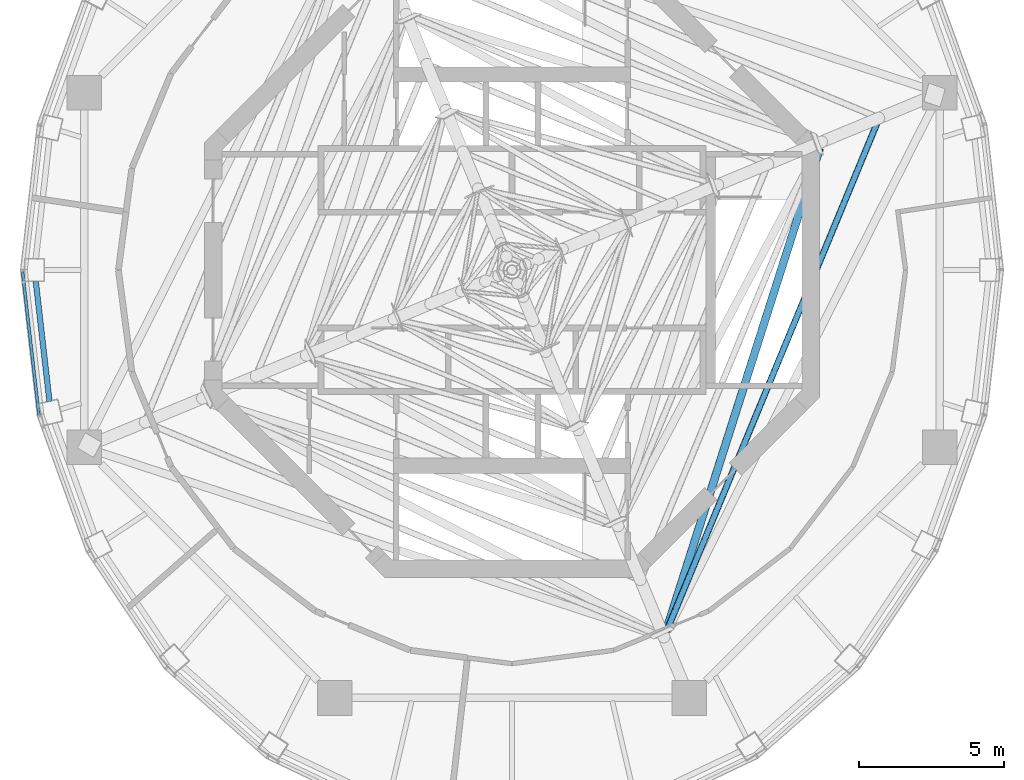
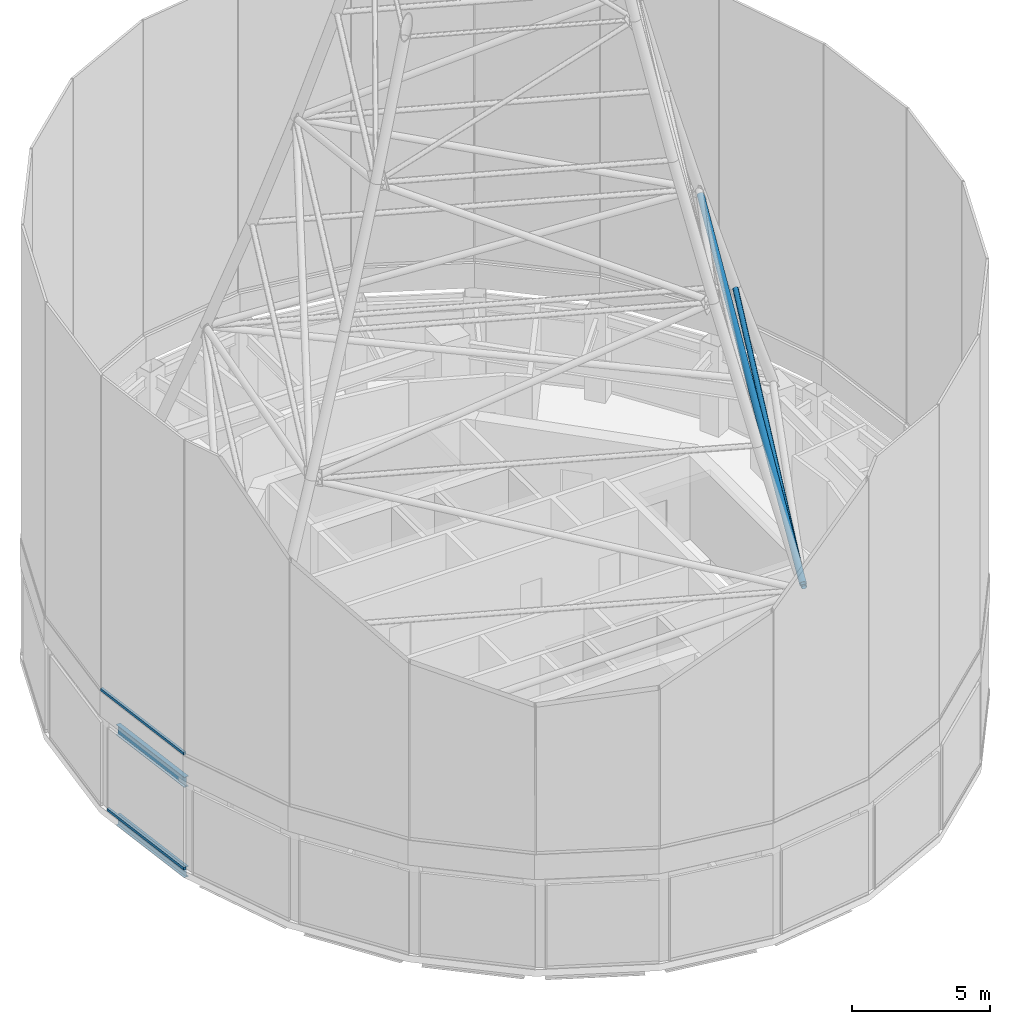
# One storey, part 8 of 25: 4 members, 2 beams, 2 elements without a shape of their own.
"""IFC4 building model written with IfcOpenShell, lengths in metres."""

from ifc_helpers import new_model, si_unit, direction, frame, origin, origin_2d, place, context, subcontext, project, spatial, rectangle, hollow_circle, i_section, extrude, material, layer, layer_set, material_profile, profile_set, type_object, element, aggregate, save


model = new_model("IFC4")

# Units and contexts
model_context = context("Model", 3, precision=1e-05, world=origin(), true_north=direction((0.0, 1.0)))
body_context = subcontext(model_context, "Body", "Model", "MODEL_VIEW")
ifc_project = project(units=[si_unit("LENGTHUNIT", "METRE"), si_unit("AREAUNIT", "SQUARE_METRE"), si_unit("VOLUMEUNIT", "CUBIC_METRE"), si_unit("PLANEANGLEUNIT", "RADIAN"), si_unit("MASSUNIT", "GRAM", prefix="KILO")], contexts=[model_context])

# Site, building, storey
site_placement = place(None, origin())
site = spatial("IfcSite", under=ifc_project, at=site_placement, CompositionType="ELEMENT")
building_placement = place(site_placement, origin())
building = spatial("IfcBuilding", under=site, at=building_placement, Name="Nagisa Residences", CompositionType="ELEMENT")
storey_placement = place(building_placement, frame((0.0, 0.0, 340.89990234375)))
storey = spatial("IfcBuildingStorey", under=building, at=storey_placement, Name="L84", CompositionType="ELEMENT", Elevation=340.89990234375)

# Curtain wall, member
ifc_material_1 = material(Name="Aluminium curtain wall system", Category="aluminium")
ifc_layer = layer(ifc_material_1, 0.159912109375)
ifc_layer_set = layer_set([ifc_layer], Name="CW5 CURTAIN WALL")
curtain_wall_type = type_object("IfcCurtainWallType", Name="CW5 CURTAIN WALL", PredefinedType="NOTDEFINED", material=ifc_layer_set)
curtain_wall_1_placement = place(storey_placement, origin())
curtain_wall_1 = element("IfcCurtainWall", 1, at=curtain_wall_1_placement, inside=storey, type_object=curtain_wall_type, Name="cw:CW5:L84:12", PredefinedType="NOTDEFINED")
ifc_material_2 = material(Name="Aluminium", Category="aluminium")
ifc_material_profile_1 = material_profile(ifc_material_2, rectangle(XDim=0.10009765625, YDim=0.1201171875, at=origin_2d()), Name="CW5 TRANSOM 100x120")
ifc_profile_set_1 = profile_set([ifc_material_profile_1], Name="Aluminium")
member_type_1 = type_object("IfcMemberType", Name="CW5 TRANSOM 100x120", PredefinedType="USERDEFINED", material=ifc_profile_set_1)
member_1_placement = place(storey_placement, frame((-16.875, -0.38818359375, 0.06005859375), z_axis=(0.114032075188, -0.993477068597, 0.0), x_axis=(0.993477068597, 0.114032075188, 0.0)))
member_1 = element("IfcMember", 2, at=member_1_placement, type_object=member_type_1, Name="CW5 transom", ObjectType="TRANSOM", PredefinedType="USERDEFINED", context=body_context, shape_type="SweptSolid", body=[
    extrude(rectangle(XDim=0.10009765625, YDim=0.1201171875, at=origin_2d()), origin(), (0.0, 0.0, 1.0), 4.68017578125),
])
aggregate(curtain_wall_1, [member_1])

curtain_wall_2_placement = place(storey_placement, origin())
curtain_wall_2 = element("IfcCurtainWall", 3, at=curtain_wall_2_placement, inside=storey, type_object=curtain_wall_type, Name="cw:CW5:L84:top0:12", PredefinedType="NOTDEFINED")
member_2_placement = place(storey_placement, frame((-16.92041015625, 0.009033203125, 5.16015625), z_axis=(0.113996578441, -0.993481142299, 0.0), x_axis=(0.993481142299, 0.113996578441, 0.0)))
member_2 = element("IfcMember", 4, at=member_2_placement, type_object=member_type_1, Name="CW5 transom", ObjectType="TRANSOM", PredefinedType="USERDEFINED", context=body_context, shape_type="SweptSolid", body=[
    extrude(rectangle(XDim=0.10009765625, YDim=0.1201171875, at=origin_2d()), origin(), (0.0, 0.0, 1.0), 5.080078125),
])
aggregate(curtain_wall_2, [member_2])

# Members
ifc_material_3 = material(Name="Steel ASTM A572 Gr 50", Category="steel")
ifc_material_profile_2 = material_profile(ifc_material_3, hollow_circle(Radius=0.136474609375, WallThickness=0.010009765625, at=origin_2d()), Name="MAST BRACE CHS 273x10")
ifc_profile_set_2 = profile_set([ifc_material_profile_2], Name="Steel ASTM A572 Gr 50")
member_type_2 = type_object("IfcMemberType", Name="MAST BRACE CHS 273x10", PredefinedType="BRACE", material=ifc_profile_set_2)
member_3_placement = place(storey_placement, frame((5.335693359375, -12.439208984375, 9.580322265625), z_axis=(0.290146585165, 0.911141895781, 0.292635276189), x_axis=(-0.952853900087, 0.303429473007, 0.0)))
element("IfcMember", 5, at=member_3_placement, inside=storey, type_object=member_type_2, Name="Mast brace 2.4", PredefinedType="BRACE", context=body_context, shape_type="SweptSolid", body=[
    extrude(hollow_circle(Radius=0.136474609375, WallThickness=0.010009765625, at=origin_2d()), origin(), (0.0, 0.0, 1.0), 18.24658203125),
])
ifc_material_4 = material(Name="Steel ASTM A572 Gr 50", Category="steel")
ifc_material_profile_3 = material_profile(ifc_material_4, hollow_circle(Radius=0.109619140625, WallThickness=0.008056640625, at=origin_2d()), Name="MAST RING CHS 219.1x8")
ifc_profile_set_3 = profile_set([ifc_material_profile_3], Name="Steel ASTM A572 Gr 50")
member_type_3 = type_object("IfcMemberType", Name="MAST RING CHS 219.1x8", PredefinedType="STRUT", material=ifc_profile_set_3)
member_4_placement = place(storey_placement, frame((5.333740234375, -12.50146484375, 9.5), z_axis=(0.38268021924, 0.923880863425, 0.0), x_axis=(-0.923880863425, 0.38268021924, 0.0)))
element("IfcMember", 6, at=member_4_placement, inside=storey, type_object=member_type_3, Name="Mast ring 1 side 4", PredefinedType="STRUT", context=body_context, shape_type="SweptSolid", body=[
    extrude(hollow_circle(Radius=0.109619140625, WallThickness=0.008056640625, at=origin_2d()), origin(), (0.0, 0.0, 1.0), 19.017333984375),
])

# Beams
ifc_material_5 = material(Name="Steel ASTM A572 Gr 50", Category="steel")
ifc_material_profile_4 = material_profile(ifc_material_5, i_section(OverallWidth=0.18994140625, OverallDepth=0.45703125, WebThickness=0.009033203125, FlangeThickness=0.014404296875, at=origin_2d()), Name="W460x74")
ifc_profile_set_4 = profile_set([ifc_material_profile_4], Name="Steel ASTM A572 Gr 50")
beam_type = type_object("IfcBeamType", Name="Perimeter ring beam W460x74", PredefinedType="BEAM", material=ifc_profile_set_4)
for number, where, z_axis, x_axis, name in (
    (7, (-16.45654296875, -0.380126953125, -0.5283203125), (0.113600894263, -0.993526465084, 0.0), (0.993526465084, 0.113600894263, 0.0), "beam:L84:pb13"),
    (8, (-16.45654296875, -0.380126953125, 3.4716796875), (0.113600894263, -0.993526465084, 0.0), (0.993526465084, 0.113600894263, 0.0), "beam:L84:rpb13"),
):
    element("IfcBeam", number, at=place(storey_placement, frame(where, z_axis=z_axis, x_axis=x_axis)), inside=storey, type_object=beam_type, Name=name, PredefinedType="BEAM", context=body_context, shape_type="SweptSolid", body=[
        extrude(i_section(OverallWidth=0.18994140625, OverallDepth=0.45703125, WebThickness=0.009033203125, FlangeThickness=0.014404296875, at=origin_2d()), origin(), (0.0, 0.0, 1.0), 4.184326171875),
    ])

save(model, "model.ifc")
